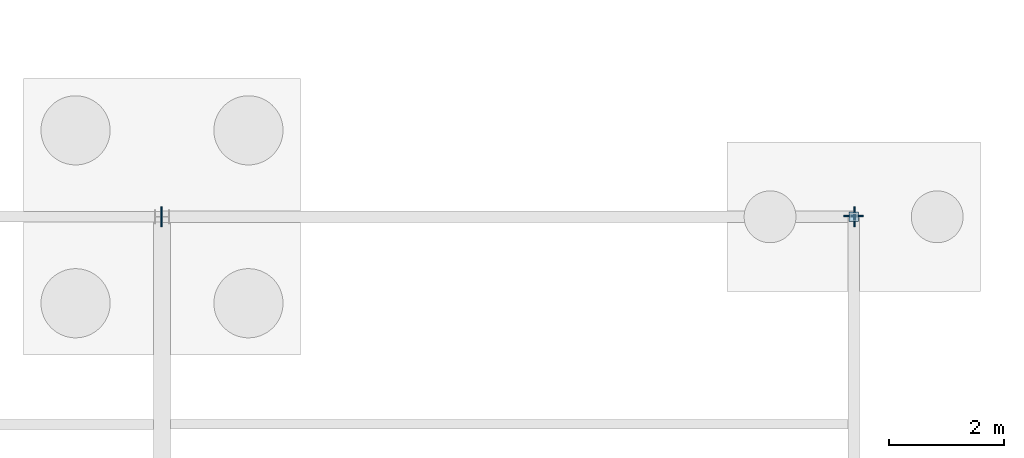
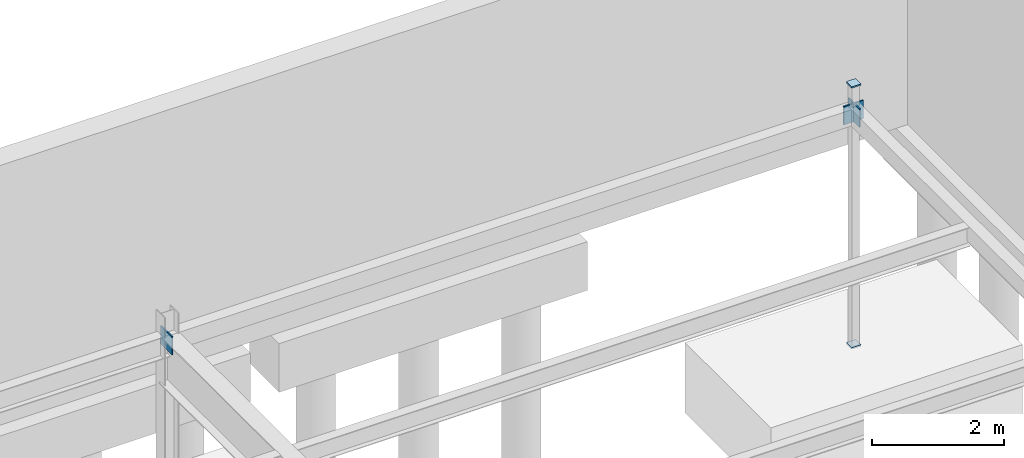
# One storey, part 117 of 136: 5 plates.
"""IFC4 building model written with IfcOpenShell, lengths in metres."""

from ifc_helpers import new_model, si_unit, direction, frame, origin, origin_2d, place, context, subcontext, project, spatial, rectangle, extrude, material, layer, layer_set, type_object, element, save


model = new_model("IFC4")

# Units and contexts
model_context = context("Model", 3, precision=1e-05, world=origin(), true_north=direction((0.0, 1.0)))
body_context = subcontext(model_context, "Body", "Model", "MODEL_VIEW")
ifc_project = project(units=[si_unit("LENGTHUNIT", "METRE"), si_unit("AREAUNIT", "SQUARE_METRE"), si_unit("VOLUMEUNIT", "CUBIC_METRE"), si_unit("PLANEANGLEUNIT", "RADIAN"), si_unit("MASSUNIT", "GRAM", prefix="KILO")], contexts=[model_context])

# Site, building, storey
site_placement = place(None, origin())
site = spatial("IfcSite", under=ifc_project, at=site_placement, CompositionType="ELEMENT")
building_placement = place(site_placement, origin())
building = spatial("IfcBuilding", under=site, at=building_placement, Name="Tarnwether General Hospital", CompositionType="ELEMENT")
storey_placement = place(building_placement, frame((0.0, 0.0, -4.800048828125)))
storey = spatial("IfcBuildingStorey", under=building, at=storey_placement, Name="LG", CompositionType="ELEMENT", Elevation=-4.800048828125)

# Plates
ifc_material = material(Name="Steel Grade 350 (350 MPa)", Category="steel")
ifc_layer = layer(ifc_material, 0.02490234375)
ifc_layer_set = layer_set([ifc_layer], Name="Steel Grade 350 (350 MPa)")
plate_type = type_object("IfcPlateType", Name="PT-GUS2", PredefinedType="USERDEFINED", material=ifc_layer_set)
for number, where, z_axis, x_axis, name in (
    (1, (192.0, 126.0, -0.02490234375), (0.0, 0.0, 1.0), (1.0, 0.0, 0.0), "Hollow Section Welded End Cap Plate 0431"),
    (2, (192.0, 126.0, 4.800048828125), (0.0, 0.0, 1.0), (1.0, 0.0, 0.0), "Hollow Section Welded End Cap Plate 0432"),
):
    element("IfcPlate", number, at=place(storey_placement, frame(where, z_axis=z_axis, x_axis=x_axis)), inside=storey, type_object=plate_type, Name=name, ObjectType="GUSSET", PredefinedType="USERDEFINED", context=body_context, shape_type="SweptSolid", body=[
        extrude(rectangle(XDim=0.1650390625, YDim=0.1650390625, at=origin_2d()), origin(), (0.0, 0.0, 1.0), 0.02490234375),
    ])
for number, where, z_axis, x_axis, name in (
    (3, (179.987548828125, 126.0, 4.10009765625), (0.0, 0.0, 1.0), (1.0, 0.0, 0.0), "Hollow Section Welded End Cap Plate 0845"),
    (4, (192.012451171875, 126.0, 4.10009765625), (0.0, 0.0, 1.0), (1.0, 0.0, 0.0), "Hollow Section Welded End Cap Plate 0846"),
    (5, (192.0, 126.012451171875, 4.10009765625), (0.0, 0.0, 1.0), (0.0, 1.0, 0.0), "Hollow Section Welded End Cap Plate 0856"),
):
    element("IfcPlate", number, at=place(storey_placement, frame(where, z_axis=z_axis, x_axis=x_axis)), inside=storey, type_object=plate_type, Name=name, ObjectType="GUSSET", PredefinedType="USERDEFINED", context=body_context, shape_type="SweptSolid", body=[
        extrude(rectangle(XDim=0.02490234375, YDim=0.340087890625, at=origin_2d()), origin(), (0.0, 0.0, 1.0), 0.340087890625),
    ])

save(model, "model.ifc")
